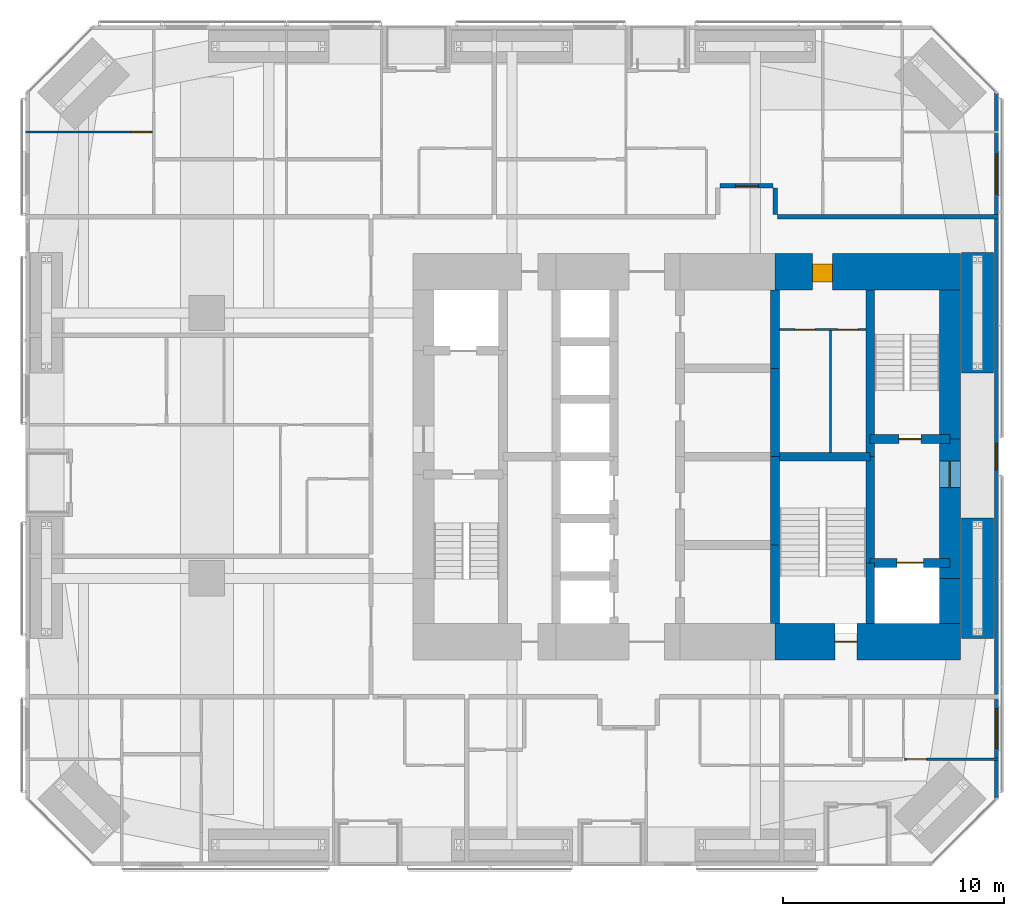
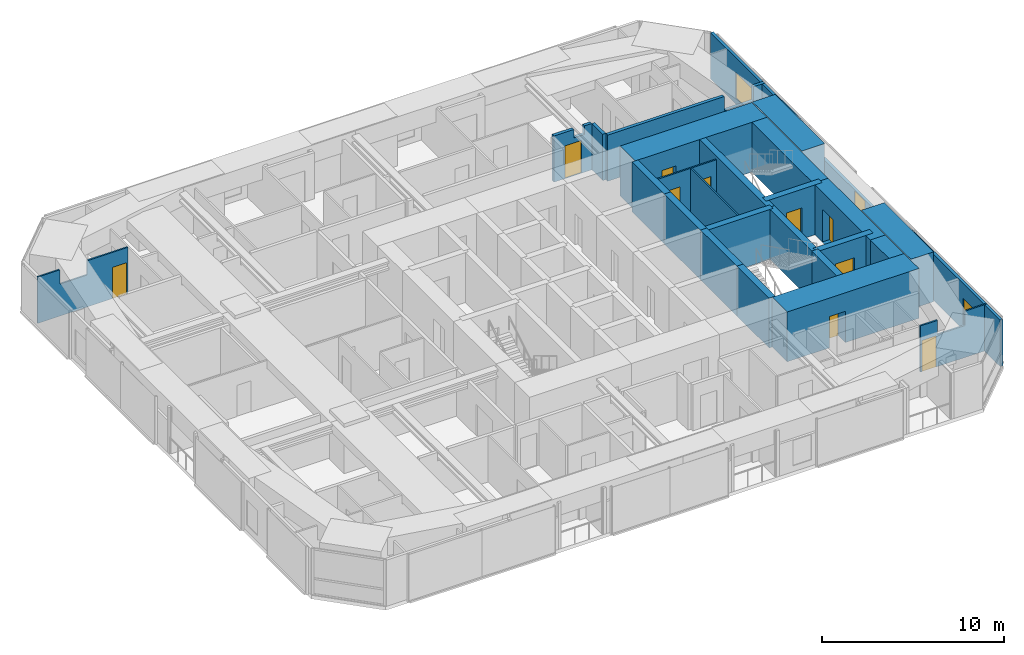
# One storey, part 20 of 23: 25 walls, 10 doors, 3 windows, 13 openings.
"""IFC4 building model written with IfcOpenShell, lengths in metres."""

from ifc_helpers import new_model, si_unit, direction, frame, frame_2d, origin, place, context, subcontext, project, spatial, polyline, rectangle, outline, extrude, material, layer, layer_set, constituent, constituent_set, type_object, element, fill, save


model = new_model("IFC4")

# Units and contexts
model_context = context("Model", 3, precision=1e-05, world=origin(), true_north=direction((0.0, 1.0)))
body_context = subcontext(model_context, "Body", "Model", "MODEL_VIEW")
ifc_project = project(units=[si_unit("LENGTHUNIT", "METRE"), si_unit("AREAUNIT", "SQUARE_METRE"), si_unit("VOLUMEUNIT", "CUBIC_METRE"), si_unit("PLANEANGLEUNIT", "RADIAN"), si_unit("MASSUNIT", "GRAM", prefix="KILO")], contexts=[model_context])

# Site, building, storey
site_placement = place(None, origin())
site = spatial("IfcSite", under=ifc_project, at=site_placement, CompositionType="ELEMENT")
building_placement = place(site_placement, origin())
building = spatial("IfcBuilding", under=site, at=building_placement, Name="Jalousie Tower", CompositionType="ELEMENT")
storey_placement = place(building_placement, frame((0.0, 0.0, 37.75)))
storey = spatial("IfcBuildingStorey", under=building, at=storey_placement, Name="L09", CompositionType="ELEMENT", Elevation=37.75)

# Wall, opening, door
ifc_material_1 = material(Name="Concrete f'c 120 MPa", Category="concrete")
ifc_layer_1 = layer(ifc_material_1, 1.64990234375)
ifc_layer_set_1 = layer_set([ifc_layer_1], Name="Concrete f'c 120 MPa")
wall_type_1 = type_object("IfcWallType", Name="CORE WALL 1650", PredefinedType="SHEAR", material=ifc_layer_set_1)
wall_1_placement = place(storey_placement, frame((35.89990234375, 10.125, 0.0), z_axis=(0.0, 0.0, 1.0), x_axis=(1.0, 0.0, 0.0)))
wall_1 = element("IfcWall", 1, at=wall_1_placement, inside=storey, type_object=wall_type_1, Name="Core wall SD L09", PredefinedType="SHEAR", context=body_context, shape_type="SweptSolid", body=[
    extrude(rectangle(XDim=8.375, YDim=1.64990234375, at=frame_2d((4.1875, 0.0))), origin(), (0.0, 0.0, 1.0), 3.35009765625),
])
opening_1_placement = place(wall_1_placement, frame((2.699951171875, 0.0, 0.0)))
opening_1 = element("IfcOpeningElement", 2, at=opening_1_placement, cuts=wall_1, Name="Opening D10", PredefinedType="OPENING", context=body_context, shape_type="SweptSolid", body=[
    extrude(rectangle(XDim=1.0, YDim=2.10009765625, at=frame_2d((0.5, 1.050048828125))), frame((0.0, 0.8349609375, 0.0), z_axis=(0.0, -1.0, 0.0), x_axis=(1.0, 0.0, 0.0)), (0.0, 0.0, 1.0), 1.669921875),
])
ifc_material_2 = material(Name="Steel fire door", Category="steel")
door_type_1 = type_object("IfcDoorType", Name="STAIR DOOR 1000", OperationType="SINGLE_SWING_LEFT", PredefinedType="DOOR", material=ifc_material_2)
door_1_placement = place(opening_1_placement, origin())
door_1 = element("IfcDoor", 3, at=door_1_placement, inside=storey, type_object=door_type_1, Name="Exit stair C door", OperationType="SINGLE_SWING_RIGHT", OverallHeight=2.10009765625, OverallWidth=1.0, PredefinedType="DOOR", context=body_context, shape_type="SweptSolid", body=[
    extrude(rectangle(XDim=1.0, YDim=2.10009765625, at=frame_2d((0.5, 1.050048828125))), frame((0.0, 0.02490234375, 0.0), z_axis=(0.0, -1.0, 0.0), x_axis=(1.0, 0.0, 0.0)), (0.0, 0.0, 1.0), 0.050048828125),
])
fill(opening_1, door_1)

wall_2_placement = place(storey_placement, frame((44.27490234375, 26.875, 0.0), z_axis=(0.0, 0.0, 1.0), x_axis=(-1.0, 0.0, 0.0)))
wall_2 = element("IfcWall", 4, at=wall_2_placement, inside=storey, type_object=wall_type_1, Name="Core wall NA L09", PredefinedType="SHEAR", context=body_context, shape_type="SweptSolid", body=[
    extrude(rectangle(XDim=8.375, YDim=1.64990234375, at=frame_2d((4.1875, 0.0))), origin(), (0.0, 0.0, 1.0), 3.35009765625),
])
opening_2_placement = place(wall_2_placement, frame((5.77490234375, 0.0, 0.0)))
opening_2 = element("IfcOpeningElement", 5, at=opening_2_placement, cuts=wall_2, Name="Opening D25", PredefinedType="OPENING", context=body_context, shape_type="SweptSolid", body=[
    extrude(rectangle(XDim=0.89990234375, YDim=2.10009765625, at=frame_2d((0.449951171875, 1.050048828125))), frame((0.0, 0.8349609375, 0.0), z_axis=(0.0, -1.0, 0.0), x_axis=(1.0, 0.0, 0.0)), (0.0, 0.0, 1.0), 1.669921875),
])
ifc_material_3 = material(Name="Steel fire door", Category="steel")
door_type_2 = type_object("IfcDoorType", Name="SERVICE LOBBY DOOR 900", OperationType="SINGLE_SWING_LEFT", PredefinedType="DOOR", material=ifc_material_3)
door_2_placement = place(opening_2_placement, origin())
door_2 = element("IfcDoor", 6, at=door_2_placement, inside=storey, type_object=door_type_2, Name="Service lobby door", OperationType="SINGLE_SWING_RIGHT", OverallHeight=2.10009765625, OverallWidth=0.89990234375, PredefinedType="DOOR", context=body_context, shape_type="SweptSolid", body=[
    extrude(rectangle(XDim=0.89990234375, YDim=2.10009765625, at=frame_2d((0.449951171875, 1.050048828125))), frame((0.0, 0.47021484375, 0.0), z_axis=(0.0, -1.0, 0.0), x_axis=(1.0, 0.0, 0.0)), (0.0, 0.0, 1.0), 0.800048828125),
])
fill(opening_2, door_2)

# Walls
ifc_material_4 = material(Name="Concrete f'c 120 MPa", Category="concrete")
ifc_layer_2 = layer(ifc_material_4, 0.39990234375)
ifc_layer_set_2 = layer_set([ifc_layer_2], Name="Concrete f'c 120 MPa")
wall_type_2 = type_object("IfcWallType", Name="CORE WALL 400", PredefinedType="SHEAR", material=ifc_layer_set_2)
wall_3_placement = place(storey_placement, frame((35.89990234375, 10.949951171875, 0.0), z_axis=(0.0, 0.0, 1.0), x_axis=(0.0, 1.0, 0.0)))
element("IfcWall", 7, at=wall_3_placement, inside=storey, type_object=wall_type_2, Name="Core wall X35.9A L09", PredefinedType="SHEAR", context=body_context, shape_type="SweptSolid", body=[
    extrude(rectangle(XDim=3.550048828125, YDim=0.39990234375, at=frame_2d((1.77490234375, 0.0))), origin(), (0.0, 0.0, 1.0), 3.35009765625),
])
for number, where, z_axis, x_axis, name in (
    (8, (35.89990234375, 14.5, 0.0), (0.0, 0.0, 1.0), (0.0, 1.0, 0.0), "Core wall X35.9B L09"),
    (9, (35.89990234375, 18.5, 0.0), (0.0, 0.0, 1.0), (0.0, 1.0, 0.0), "Core wall X35.9C L09"),
):
    element("IfcWall", number, at=place(storey_placement, frame(where, z_axis=z_axis, x_axis=x_axis)), inside=storey, type_object=wall_type_2, Name=name, PredefinedType="SHEAR", context=body_context, shape_type="SweptSolid", body=[
        extrude(rectangle(XDim=4.0, YDim=0.39990234375, at=frame_2d((2.0, 0.0))), origin(), (0.0, 0.0, 1.0), 3.35009765625),
    ])
wall_4_placement = place(storey_placement, frame((35.89990234375, 22.5, 0.0), z_axis=(0.0, 0.0, 1.0), x_axis=(0.0, 1.0, 0.0)))
element("IfcWall", 10, at=wall_4_placement, inside=storey, type_object=wall_type_2, Name="Core wall X35.9D L09", PredefinedType="SHEAR", context=body_context, shape_type="SweptSolid", body=[
    extrude(rectangle(XDim=3.550048828125, YDim=0.39990234375, at=frame_2d((1.77490234375, 0.0))), origin(), (0.0, 0.0, 1.0), 3.35009765625),
])
wall_5_placement = place(storey_placement, frame((40.199951171875, 10.949951171875, 0.0), z_axis=(0.0, 0.0, 1.0), x_axis=(0.0, 1.0, 0.0)))
element("IfcWall", 11, at=wall_5_placement, inside=storey, type_object=wall_type_2, Name="Core wall X40.2A L09", PredefinedType="SHEAR", context=body_context, shape_type="SweptSolid", body=[
    extrude(rectangle(XDim=2.75, YDim=0.39990234375, at=frame_2d((1.375, 0.0))), origin(), (0.0, 0.0, 1.0), 3.35009765625),
])
wall_6_placement = place(storey_placement, frame((40.199951171875, 13.699951171875, 0.0), z_axis=(0.0, 0.0, 1.0), x_axis=(0.0, 1.0, 0.0)))
element("IfcWall", 12, at=wall_6_placement, inside=storey, type_object=wall_type_2, Name="Core wall X40.2B L09", PredefinedType="SHEAR", context=body_context, shape_type="SweptSolid", body=[
    extrude(rectangle(XDim=4.800048828125, YDim=0.39990234375, at=frame_2d((2.39990234375, 0.0))), origin(), (0.0, 0.0, 1.0), 3.35009765625),
])
wall_7_placement = place(storey_placement, frame((40.199951171875, 18.5, 0.0), z_axis=(0.0, 0.0, 1.0), x_axis=(0.0, 1.0, 0.0)))
element("IfcWall", 13, at=wall_7_placement, inside=storey, type_object=wall_type_2, Name="Core wall X40.2C L09", PredefinedType="SHEAR", context=body_context, shape_type="SweptSolid", body=[
    extrude(rectangle(XDim=7.550048828125, YDim=0.39990234375, at=frame_2d((3.77490234375, 0.0))), origin(), (0.0, 0.0, 1.0), 3.35009765625),
])
wall_8_placement = place(storey_placement, frame((35.89990234375, 18.5, 0.0), z_axis=(0.0, 0.0, 1.0), x_axis=(1.0, 0.0, 0.0)))
element("IfcWall", 14, at=wall_8_placement, inside=storey, type_object=wall_type_2, Name="Core wall Y35.9-18.5 L09", PredefinedType="SHEAR", context=body_context, shape_type="SweptSolid", body=[
    extrude(rectangle(XDim=4.300048828125, YDim=0.39990234375, at=frame_2d((2.14990234375, 0.0))), origin(), (0.0, 0.0, 1.0), 3.35009765625),
])

# Wall, opening, door
wall_9_placement = place(storey_placement, frame((40.199951171875, 13.699951171875, 0.0), z_axis=(0.0, 0.0, 1.0), x_axis=(1.0, 0.0, 0.0)))
wall_9 = element("IfcWall", 15, at=wall_9_placement, inside=storey, type_object=wall_type_2, Name="Core wall Y40.2-13.7 L09", PredefinedType="SHEAR", context=body_context, shape_type="SweptSolid", body=[
    extrude(rectangle(XDim=3.60009765625, YDim=0.39990234375, at=frame_2d((1.800048828125, 0.0))), origin(), (0.0, 0.0, 1.0), 3.35009765625),
])
opening_3_placement = place(wall_9_placement, frame((1.199951171875, 0.0, 0.0)))
opening_3 = element("IfcOpeningElement", 16, at=opening_3_placement, cuts=wall_9, Name="Opening LD2", PredefinedType="OPENING", context=body_context, shape_type="SweptSolid", body=[
    extrude(rectangle(XDim=1.199951171875, YDim=2.10009765625, at=frame_2d((0.60009765625, 1.050048828125))), frame((0.0, 0.2099609375, 0.0), z_axis=(0.0, -1.0, 0.0), x_axis=(1.0, 0.0, 0.0)), (0.0, 0.0, 1.0), 0.419921875),
])
ifc_material_5 = material(Name="Steel lift landing door", Category="steel")
door_type_3 = type_object("IfcDoorType", Name="LIFT LANDING DOOR 1200", OperationType="SLIDING_TO_LEFT", PredefinedType="DOOR", material=ifc_material_5)
door_3_placement = place(opening_3_placement, origin())
door_3 = element("IfcDoor", 17, at=door_3_placement, inside=storey, type_object=door_type_3, Name="Lift F2 landing door", OperationType="SLIDING_TO_LEFT", OverallHeight=2.10009765625, OverallWidth=1.199951171875, PredefinedType="DOOR", context=body_context, shape_type="SweptSolid", body=[
    extrude(rectangle(XDim=1.199951171875, YDim=2.10009765625, at=frame_2d((0.60009765625, 1.050048828125))), frame((0.0, 0.02490234375, 0.0), z_axis=(0.0, -1.0, 0.0), x_axis=(1.0, 0.0, 0.0)), (0.0, 0.0, 1.0), 0.050048828125),
])
fill(opening_3, door_3)

wall_10_placement = place(storey_placement, frame((40.199951171875, 19.300048828125, 0.0), z_axis=(0.0, 0.0, 1.0), x_axis=(1.0, 0.0, 0.0)))
wall_10 = element("IfcWall", 18, at=wall_10_placement, inside=storey, type_object=wall_type_2, Name="Core wall Y40.2-19.3 L09", PredefinedType="SHEAR", context=body_context, shape_type="SweptSolid", body=[
    extrude(rectangle(XDim=3.60009765625, YDim=0.39990234375, at=frame_2d((1.800048828125, 0.0))), origin(), (0.0, 0.0, 1.0), 3.35009765625),
])
opening_4_placement = place(wall_10_placement, frame((1.300048828125, 0.0, 0.0)))
opening_4 = element("IfcOpeningElement", 19, at=opening_4_placement, cuts=wall_10, Name="Opening D10", PredefinedType="OPENING", context=body_context, shape_type="SweptSolid", body=[
    extrude(rectangle(XDim=1.0, YDim=2.10009765625, at=frame_2d((0.5, 1.050048828125))), frame((0.0, 0.2099609375, 0.0), z_axis=(0.0, -1.0, 0.0), x_axis=(1.0, 0.0, 0.0)), (0.0, 0.0, 1.0), 0.419921875),
])
door_4_placement = place(opening_4_placement, origin())
door_4 = element("IfcDoor", 20, at=door_4_placement, inside=storey, type_object=door_type_1, Name="Exit stair B door", OperationType="SINGLE_SWING_RIGHT", OverallHeight=2.10009765625, OverallWidth=1.0, PredefinedType="DOOR", context=body_context, shape_type="SweptSolid", body=[
    extrude(rectangle(XDim=1.0, YDim=2.10009765625, at=frame_2d((0.5, 1.050048828125))), frame((0.0, 0.02490234375, 0.0), z_axis=(0.0, -1.0, 0.0), x_axis=(1.0, 0.0, 0.0)), (0.0, 0.0, 1.0), 0.050048828125),
])
fill(opening_4, door_4)

# Wall
ifc_material_6 = material(Name="Concrete f'c 120 MPa", Category="concrete")
ifc_layer_3 = layer(ifc_material_6, 0.949951171875)
ifc_layer_set_3 = layer_set([ifc_layer_3], Name="Concrete f'c 120 MPa")
wall_type_3 = type_object("IfcWallType", Name="CORE WALL 950", PredefinedType="SHEAR", material=ifc_layer_set_3)
wall_11_placement = place(storey_placement, frame((43.800048828125, 10.949951171875, 0.0), z_axis=(0.0, 0.0, 1.0), x_axis=(0.0, 1.0, 0.0)))
element("IfcWall", 21, at=wall_11_placement, inside=storey, type_object=wall_type_3, Name="Core wall EA L09", PredefinedType="SHEAR", context=body_context, shape_type="SweptSolid", body=[
    extrude(rectangle(XDim=2.050048828125, YDim=0.949951171875, at=frame_2d((1.02490234375, 0.0))), origin(), (0.0, 0.0, 1.0), 3.35009765625),
])

# Wall, opening, door
wall_12_placement = place(storey_placement, frame((43.800048828125, 13.0, 0.0), z_axis=(0.0, 0.0, 1.0), x_axis=(0.0, 1.0, 0.0)))
wall_12 = element("IfcWall", 22, at=wall_12_placement, inside=storey, type_object=wall_type_3, Name="Core wall EB L09", PredefinedType="SHEAR", context=body_context, shape_type="SweptSolid", body=[
    extrude(rectangle(XDim=6.300048828125, YDim=0.949951171875, at=frame_2d((3.14990234375, 0.0))), origin(), (0.0, 0.0, 1.0), 3.35009765625),
])
opening_5_placement = place(wall_12_placement, frame((4.10009765625, 0.0, 0.0)))
opening_5 = element("IfcOpeningElement", 23, at=opening_5_placement, cuts=wall_12, Name="Opening D11", PredefinedType="OPENING", context=body_context, shape_type="SweptSolid", body=[
    extrude(rectangle(XDim=1.199951171875, YDim=2.199951171875, at=frame_2d((0.60009765625, 1.10009765625))), frame((0.0, 0.48486328125, 0.0), z_axis=(0.0, -1.0, 0.0), x_axis=(1.0, 0.0, 0.0)), (0.0, 0.0, 1.0), 0.969970703125),
])
ifc_material_7 = material(Name="Steel fire door", Category="steel")
door_type_4 = type_object("IfcDoorType", Name="FIRE DOOR 1200", OperationType="SINGLE_SWING_LEFT", PredefinedType="DOOR", material=ifc_material_7)
door_5_placement = place(opening_5_placement, origin())
door_5 = element("IfcDoor", 24, at=door_5_placement, inside=storey, type_object=door_type_4, Name="Fire-fighting lobby B door", OperationType="SINGLE_SWING_RIGHT", OverallHeight=2.199951171875, OverallWidth=1.199951171875, PredefinedType="DOOR", context=body_context, shape_type="SweptSolid", body=[
    extrude(rectangle(XDim=1.199951171875, YDim=2.199951171875, at=frame_2d((0.60009765625, 1.10009765625))), frame((0.0, 0.02490234375, 0.0), z_axis=(0.0, -1.0, 0.0), x_axis=(1.0, 0.0, 0.0)), (0.0, 0.0, 1.0), 0.050048828125),
])
fill(opening_5, door_5)

# Walls
wall_13_placement = place(storey_placement, frame((43.800048828125, 19.300048828125, 0.0), z_axis=(0.0, 0.0, 1.0), x_axis=(0.0, 1.0, 0.0)))
element("IfcWall", 25, at=wall_13_placement, inside=storey, type_object=wall_type_3, Name="Core wall EC L09", PredefinedType="SHEAR", context=body_context, shape_type="SweptSolid", body=[
    extrude(rectangle(XDim=6.75, YDim=0.949951171875, at=frame_2d((3.375, 0.0))), origin(), (0.0, 0.0, 1.0), 3.35009765625),
])
ifc_material_8 = material(Name="Concrete block ASTM C90", Category="concrete")
ifc_constituent_1 = constituent(ifc_material_8, Name="Body")
ifc_material_9 = material(Name="Render")
ifc_constituent_2 = constituent(ifc_material_9, Name="Finish")
ifc_constituent_set_1 = constituent_set(constituents=[ifc_constituent_1, ifc_constituent_2])
wall_type_4 = type_object("IfcWallType", Name="CORRIDOR WALL 200", PredefinedType="PARTITIONING", material=ifc_constituent_set_1)
wall_14_placement = place(storey_placement, frame((36.0, 29.35009765625, 0.0), z_axis=(0.0, 0.0, 1.0), x_axis=(1.0, 0.0, 0.0)))
element("IfcWall", 26, at=wall_14_placement, inside=storey, type_object=wall_type_4, Name="Corridor Wall 200 L09", PredefinedType="PARTITIONING", context=body_context, shape_type="SweptSolid", body=[
    extrude(outline(polyline([(0.0, 0.0), (10.0, 0.0), (10.0, 3.110107421875), (9.2666015625, 3.110107421875), (9.2666015625, 2.14990234375), (7.422607421875, 2.14990234375), (7.422607421875, 3.110107421875), (0.0, 3.110107421875), (0.0, 0.0)])), frame((0.0, 0.10009765625, 0.0), z_axis=(0.0, -1.0, 0.0), x_axis=(1.0, 0.0, 0.0)), (0.0, 0.0, 1.0), 0.199951171875),
])

# Wall, opening, door
wall_15_placement = place(storey_placement, frame((33.39990234375, 30.75, 0.0), z_axis=(0.0, 0.0, 1.0), x_axis=(1.0, 0.0, 0.0)))
wall_15 = element("IfcWall", 27, at=wall_15_placement, inside=storey, type_object=wall_type_4, Name="Corridor Wall 200 L09", PredefinedType="PARTITIONING", context=body_context, shape_type="SweptSolid", body=[
    extrude(outline(polyline([(0.0, 0.0), (2.400146484375, 0.0), (2.39990234375, 3.110107421875), (1.9375, 3.110107421875), (1.9375, 2.541015625), (1.2626953125, 2.541015625), (1.2626953125, 3.110107421875), (0.0, 3.110107421875), (0.0, 0.0)])), frame((0.0, 0.10009765625, 0.0), z_axis=(0.0, -1.0, 0.0), x_axis=(1.0, 0.0, 0.0)), (0.0, 0.0, 1.0), 0.199951171875),
])
opening_6_placement = place(wall_15_placement, frame((0.699951171875, 0.0, 0.0)))
opening_6 = element("IfcOpeningElement", 28, at=opening_6_placement, cuts=wall_15, Name="Opening D1", PredefinedType="OPENING", context=body_context, shape_type="SweptSolid", body=[
    extrude(rectangle(XDim=1.050048828125, YDim=2.199951171875, at=frame_2d((0.52490234375, 1.10009765625))), frame((0.0, 0.10986328125, 0.0), z_axis=(0.0, -1.0, 0.0), x_axis=(1.0, 0.0, 0.0)), (0.0, 0.0, 1.0), 0.219970703125),
])
ifc_material_10 = material(Name="Timber fire door", Category="wood")
door_type_5 = type_object("IfcDoorType", Name="APARTMENT ENTRANCE DOOR 1050", OperationType="SINGLE_SWING_LEFT", PredefinedType="DOOR", material=ifc_material_10)
door_6_placement = place(opening_6_placement, origin())
door_6 = element("IfcDoor", 29, at=door_6_placement, inside=storey, type_object=door_type_5, Name="Apartment 0905 entrance", OperationType="SINGLE_SWING_LEFT", OverallHeight=2.199951171875, OverallWidth=1.050048828125, PredefinedType="DOOR", context=body_context, shape_type="SweptSolid", body=[
    extrude(rectangle(XDim=1.050048828125, YDim=2.199951171875, at=frame_2d((0.52490234375, 1.10009765625))), frame((0.0, 0.02490234375, 0.0), z_axis=(0.0, -1.0, 0.0), x_axis=(1.0, 0.0, 0.0)), (0.0, 0.0, 1.0), 0.050048828125),
])
fill(opening_6, door_6)

# Wall
wall_16_placement = place(storey_placement, frame((35.89990234375, 29.449951171875, 0.0), z_axis=(0.0, 0.0, 1.0), x_axis=(0.0, 1.0, 0.0)))
element("IfcWall", 30, at=wall_16_placement, inside=storey, type_object=wall_type_4, Name="Corridor Wall 200 L09", PredefinedType="PARTITIONING", context=body_context, shape_type="SweptSolid", body=[
    extrude(rectangle(XDim=1.199951171875, YDim=0.199951171875, at=frame_2d((0.60009765625, 0.0))), origin(), (0.0, 0.0, 1.0), 3.110107421875),
])

# Wall, openings, windows
ifc_material_11 = material(Name="Concrete f'c 40 MPa", Category="concrete")
ifc_constituent_3 = constituent(ifc_material_11, Name="Body")
ifc_material_12 = material(Name="Render, pastel coral")
ifc_constituent_4 = constituent(ifc_material_12, Name="Finish")
ifc_constituent_set_2 = constituent_set(constituents=[ifc_constituent_3, ifc_constituent_4])
wall_type_5 = type_object("IfcWallType", Name="EXTERNAL WALL 175 CORAL RENDER", PredefinedType="SOLIDWALL", material=ifc_constituent_set_2)
wall_17_placement = place(storey_placement, frame((45.91259765625, 3.05126953125, 0.0), z_axis=(0.0, 0.0, 1.0), x_axis=(0.0, 1.0, 0.0)))
wall_17 = element("IfcWall", 31, at=wall_17_placement, inside=storey, type_object=wall_type_5, Name="External Wall 175 Coral Render L09", PredefinedType="SOLIDWALL", context=body_context, shape_type="SweptSolid", body=[
    extrude(outline(polyline([(0.0, 0.0), (31.8974609375, 0.0), (31.8974609375, 3.110107421875), (22.167236328125, 3.110107421875), (22.167236328125, 2.14990234375), (22.074462890625, 2.14990234375), (22.074462890625, 3.110107421875), (21.94873046875, 3.110107421875), (21.94873046875, 2.14990234375), (9.94873046875, 2.14990234375), (9.94873046875, 3.110107421875), (9.822998046875, 3.110107421875), (9.822998046875, 2.14990234375), (9.72998046875, 2.14990234375), (9.72998046875, 3.110107421875), (0.0, 3.110107421875), (0.0, 0.0)])), frame((0.0, 0.08740234375, 0.0), z_axis=(0.0, -1.0, 0.0), x_axis=(1.0, 0.0, 0.0)), (0.0, 0.0, 1.0), 0.175048828125),
])
opening_7_placement = place(wall_17_placement, frame((2.25732421875, 0.0, 0.39990234375)))
opening_7 = element("IfcOpeningElement", 32, at=opening_7_placement, cuts=wall_17, Name="Opening W-BED170", PredefinedType="OPENING", context=body_context, shape_type="SweptSolid", body=[
    extrude(rectangle(XDim=1.800048828125, YDim=1.699951171875, at=frame_2d((0.89990234375, 0.85009765625))), frame((0.0, 0.097412109375, 0.0), z_axis=(0.0, -1.0, 0.0), x_axis=(1.0, 0.0, 0.0)), (0.0, 0.0, 1.0), 0.195068359375),
])
opening_8_placement = place(wall_17_placement, frame((14.8486328125, 0.0, 0.39990234375)))
opening_8 = element("IfcOpeningElement", 33, at=opening_8_placement, cuts=wall_17, Name="Opening W-COR170", PredefinedType="OPENING", context=body_context, shape_type="SweptSolid", body=[
    extrude(rectangle(XDim=1.199951171875, YDim=1.699951171875, at=frame_2d((0.60009765625, 0.85009765625))), frame((0.0, 0.097412109375, 0.0), z_axis=(0.0, -1.0, 0.0), x_axis=(1.0, 0.0, 0.0)), (0.0, 0.0, 1.0), 0.195068359375),
])
opening_9_placement = place(wall_17_placement, frame((27.340087890625, 0.0, 0.39990234375)))
opening_9 = element("IfcOpeningElement", 34, at=opening_9_placement, cuts=wall_17, Name="Opening W-BED170", PredefinedType="OPENING", context=body_context, shape_type="SweptSolid", body=[
    extrude(rectangle(XDim=1.800048828125, YDim=1.699951171875, at=frame_2d((0.89990234375, 0.85009765625))), frame((0.0, 0.097412109375, 0.0), z_axis=(0.0, -1.0, 0.0), x_axis=(1.0, 0.0, 0.0)), (0.0, 0.0, 1.0), 0.195068359375),
])
ifc_material_13 = material(Name="Aluminium frame, impact-rated glazing", Category="aluminium")
window_type_1 = type_object("IfcWindowType", Name="WINDOW BED 1800x1700", PartitioningType="SINGLE_PANEL", PredefinedType="WINDOW", material=ifc_material_13)
window_1_placement = place(opening_7_placement, origin())
window_1 = element("IfcWindow", 35, at=window_1_placement, inside=storey, type_object=window_type_1, Name="Apartment 0903 bedroom 1 window", OverallHeight=1.699951171875, OverallWidth=1.800048828125, PartitioningType="SINGLE_PANEL", PredefinedType="WINDOW", context=body_context, shape_type="SweptSolid", body=[
    extrude(rectangle(XDim=1.800048828125, YDim=1.699951171875, at=frame_2d((0.89990234375, 0.85009765625))), frame((0.0, 0.030029296875, 0.0), z_axis=(0.0, -1.0, 0.0), x_axis=(1.0, 0.0, 0.0)), (0.0, 0.0, 1.0), 0.06005859375),
])
fill(opening_7, window_1)
window_2_placement = place(opening_9_placement, origin())
window_2 = element("IfcWindow", 36, at=window_2_placement, inside=storey, type_object=window_type_1, Name="Apartment 0905 bedroom 3 window", OverallHeight=1.699951171875, OverallWidth=1.800048828125, PartitioningType="SINGLE_PANEL", PredefinedType="WINDOW", context=body_context, shape_type="SweptSolid", body=[
    extrude(rectangle(XDim=1.800048828125, YDim=1.699951171875, at=frame_2d((0.89990234375, 0.85009765625))), frame((0.0, 0.030029296875, 0.0), z_axis=(0.0, -1.0, 0.0), x_axis=(1.0, 0.0, 0.0)), (0.0, 0.0, 1.0), 0.06005859375),
])
fill(opening_9, window_2)
ifc_material_14 = material(Name="Aluminium frame, impact-rated glazing", Category="aluminium")
window_type_2 = type_object("IfcWindowType", Name="WINDOW COR 1200x1700", PartitioningType="SINGLE_PANEL", PredefinedType="WINDOW", material=ifc_material_14)
window_3_placement = place(opening_8_placement, origin())
window_3 = element("IfcWindow", 37, at=window_3_placement, inside=storey, type_object=window_type_2, Name="Corridor window", OverallHeight=1.699951171875, OverallWidth=1.199951171875, PartitioningType="SINGLE_PANEL", PredefinedType="WINDOW", context=body_context, shape_type="SweptSolid", body=[
    extrude(rectangle(XDim=1.199951171875, YDim=1.699951171875, at=frame_2d((0.60009765625, 0.85009765625))), frame((0.0, 0.030029296875, 0.0), z_axis=(0.0, -1.0, 0.0), x_axis=(1.0, 0.0, 0.0)), (0.0, 0.0, 1.0), 0.06005859375),
])
fill(opening_8, window_3)

# Wall, opening, door
ifc_material_15 = material(Name="Gypsum board", Category="gypsum")
ifc_constituent_5 = constituent(ifc_material_15, Name="Body")
ifc_material_16 = material(Name="Light-gauge steel studs ASTM A653 SS Grade 33", Category="steel")
ifc_constituent_6 = constituent(ifc_material_16, Name="Framing")
ifc_constituent_set_3 = constituent_set(constituents=[ifc_constituent_5, ifc_constituent_6])
wall_type_6 = type_object("IfcWallType", Name="PARTITION 100", PredefinedType="PARTITIONING", material=ifc_constituent_set_3)
wall_18_placement = place(storey_placement, frame((41.75, 4.8173828125, 0.0), z_axis=(0.0, 0.0, 1.0), x_axis=(1.0, 0.0, 0.0)))
wall_18 = element("IfcWall", 38, at=wall_18_placement, inside=storey, type_object=wall_type_6, Name="Partition 100 L09", PredefinedType="PARTITIONING", context=body_context, shape_type="SweptSolid", body=[
    extrude(outline(polyline([(0.0, 0.0), (4.25, 0.0), (4.25, 3.110107421875), (2.84423828125, 3.110107421875), (2.84423828125, 2.14990234375), (1.101806640625, 2.14990234375), (1.101806640625, 3.110107421875), (0.0, 3.110107421875), (0.0, 0.0)])), frame((0.0, 0.050048828125, 0.0), z_axis=(0.0, -1.0, 0.0), x_axis=(1.0, 0.0, 0.0)), (0.0, 0.0, 1.0), 0.10009765625),
])
opening_10_placement = place(wall_18_placement, frame((0.10009765625, 0.0, 0.0)))
opening_10 = element("IfcOpeningElement", 39, at=opening_10_placement, cuts=wall_18, Name="Opening D2", PredefinedType="OPENING", context=body_context, shape_type="SweptSolid", body=[
    extrude(rectangle(XDim=0.89990234375, YDim=2.10009765625, at=frame_2d((0.449951171875, 1.050048828125))), frame((0.0, 0.06005859375, 0.0), z_axis=(0.0, -1.0, 0.0), x_axis=(1.0, 0.0, 0.0)), (0.0, 0.0, 1.0), 0.1201171875),
])
ifc_material_17 = material(Name="Timber door", Category="wood")
door_type_6 = type_object("IfcDoorType", Name="BEDROOM DOOR 900", OperationType="SINGLE_SWING_LEFT", PredefinedType="DOOR", material=ifc_material_17)
door_7_placement = place(opening_10_placement, origin())
door_7 = element("IfcDoor", 40, at=door_7_placement, inside=storey, type_object=door_type_6, Name="Apartment 0903 bedroom 1 door", OperationType="SINGLE_SWING_LEFT", OverallHeight=2.10009765625, OverallWidth=0.89990234375, PredefinedType="DOOR", context=body_context, shape_type="SweptSolid", body=[
    extrude(rectangle(XDim=0.89990234375, YDim=2.10009765625, at=frame_2d((0.449951171875, 1.050048828125))), frame((0.0, 0.02490234375, 0.0), z_axis=(0.0, -1.0, 0.0), x_axis=(1.0, 0.0, 0.0)), (0.0, 0.0, 1.0), 0.050048828125),
])
fill(opening_10, door_7)

wall_19_placement = place(storey_placement, frame((2.0, 33.1826171875, 0.0), z_axis=(0.0, 0.0, 1.0), x_axis=(1.0, 0.0, 0.0)))
wall_19 = element("IfcWall", 41, at=wall_19_placement, inside=storey, type_object=wall_type_6, Name="Partition 100 L09", PredefinedType="PARTITIONING", context=body_context, shape_type="SweptSolid", body=[
    extrude(outline(polyline([(0.0, 0.0), (5.75, 0.0), (5.75, 3.110107421875), (3.148193359375, 3.110107421875), (3.148193359375, 2.14990234375), (1.40576171875, 2.14990234375), (1.40576171875, 3.110107421875), (0.0, 3.110107421875), (0.0, 0.0)])), frame((0.0, 0.050048828125, 0.0), z_axis=(0.0, -1.0, 0.0), x_axis=(1.0, 0.0, 0.0)), (0.0, 0.0, 1.0), 0.10009765625),
])
opening_11_placement = place(wall_19_placement, frame((4.75, 0.0, 0.0)))
opening_11 = element("IfcOpeningElement", 42, at=opening_11_placement, cuts=wall_19, Name="Opening D7", PredefinedType="OPENING", context=body_context, shape_type="SweptSolid", body=[
    extrude(rectangle(XDim=0.89990234375, YDim=2.10009765625, at=frame_2d((0.449951171875, 1.050048828125))), frame((0.0, 0.06005859375, 0.0), z_axis=(0.0, -1.0, 0.0), x_axis=(1.0, 0.0, 0.0)), (0.0, 0.0, 1.0), 0.1201171875),
])
ifc_material_18 = material(Name="Timber door", Category="wood")
door_type_7 = type_object("IfcDoorType", Name="INTERNAL DOOR 900", OperationType="SINGLE_SWING_LEFT", PredefinedType="DOOR", material=ifc_material_18)
door_8_placement = place(opening_11_placement, frame((0.89990234375, 0.0, 0.0), z_axis=(0.0, 0.0, 1.0), x_axis=(-1.0, 0.0, 0.0)))
door_8 = element("IfcDoor", 43, at=door_8_placement, inside=storey, type_object=door_type_7, Name="Apartment 0904 bedroom 1 dressing hall door", OperationType="SINGLE_SWING_LEFT", OverallHeight=2.10009765625, OverallWidth=0.89990234375, PredefinedType="DOOR", context=body_context, shape_type="SweptSolid", body=[
    extrude(rectangle(XDim=0.89990234375, YDim=2.10009765625, at=frame_2d((0.449951171875, 1.050048828125))), frame((0.0, 0.02490234375, 0.0), z_axis=(0.0, -1.0, 0.0), x_axis=(1.0, 0.0, 0.0)), (0.0, 0.0, 1.0), 0.050048828125),
])
fill(opening_11, door_8)

# Wall, openings, doors
wall_20_placement = place(storey_placement, frame((36.10009765625, 24.25, 0.0), z_axis=(0.0, 0.0, 1.0), x_axis=(1.0, 0.0, 0.0)))
wall_20 = element("IfcWall", 44, at=wall_20_placement, inside=storey, type_object=wall_type_6, Name="Partition 100 L09", PredefinedType="PARTITIONING", context=body_context, shape_type="SweptSolid", body=[
    extrude(rectangle(XDim=3.89990234375, YDim=0.10009765625, at=frame_2d((1.949951171875, 0.0))), origin(), (0.0, 0.0, 1.0), 3.110107421875),
])
opening_12_placement = place(wall_20_placement, frame((0.699951171875, 0.0, 0.0)))
opening_12 = element("IfcOpeningElement", 45, at=opening_12_placement, cuts=wall_20, Name="Opening D7", PredefinedType="OPENING", context=body_context, shape_type="SweptSolid", body=[
    extrude(rectangle(XDim=0.89990234375, YDim=2.10009765625, at=frame_2d((0.449951171875, 1.050048828125))), frame((0.0, 0.06005859375, 0.0), z_axis=(0.0, -1.0, 0.0), x_axis=(1.0, 0.0, 0.0)), (0.0, 0.0, 1.0), 0.1201171875),
])
opening_13_placement = place(wall_20_placement, frame((2.64990234375, 0.0, 0.0)))
opening_13 = element("IfcOpeningElement", 46, at=opening_13_placement, cuts=wall_20, Name="Opening D7", PredefinedType="OPENING", context=body_context, shape_type="SweptSolid", body=[
    extrude(rectangle(XDim=0.89990234375, YDim=2.10009765625, at=frame_2d((0.449951171875, 1.050048828125))), frame((0.0, 0.06005859375, 0.0), z_axis=(0.0, -1.0, 0.0), x_axis=(1.0, 0.0, 0.0)), (0.0, 0.0, 1.0), 0.1201171875),
])
door_9_placement = place(opening_12_placement, frame((0.89990234375, 0.0, 0.0), z_axis=(0.0, 0.0, 1.0), x_axis=(-1.0, 0.0, 0.0)))
door_9 = element("IfcDoor", 47, at=door_9_placement, inside=storey, type_object=door_type_7, Name="IT room door", OperationType="SINGLE_SWING_LEFT", OverallHeight=2.10009765625, OverallWidth=0.89990234375, PredefinedType="DOOR", context=body_context, shape_type="SweptSolid", body=[
    extrude(rectangle(XDim=0.89990234375, YDim=2.10009765625, at=frame_2d((0.449951171875, 1.050048828125))), frame((0.0, 0.02490234375, 0.0), z_axis=(0.0, -1.0, 0.0), x_axis=(1.0, 0.0, 0.0)), (0.0, 0.0, 1.0), 0.050048828125),
])
fill(opening_12, door_9)
door_10_placement = place(opening_13_placement, frame((0.89990234375, 0.0, 0.0), z_axis=(0.0, 0.0, 1.0), x_axis=(-1.0, 0.0, 0.0)))
door_10 = element("IfcDoor", 48, at=door_10_placement, inside=storey, type_object=door_type_7, Name="Staff WC door", OperationType="SINGLE_SWING_RIGHT", OverallHeight=2.10009765625, OverallWidth=0.89990234375, PredefinedType="DOOR", context=body_context, shape_type="SweptSolid", body=[
    extrude(rectangle(XDim=0.89990234375, YDim=2.10009765625, at=frame_2d((0.449951171875, 1.050048828125))), frame((0.0, 0.02490234375, 0.0), z_axis=(0.0, -1.0, 0.0), x_axis=(1.0, 0.0, 0.0)), (0.0, 0.0, 1.0), 0.050048828125),
])
fill(opening_13, door_10)

# Walls
wall_21_placement = place(storey_placement, frame((38.39990234375, 18.699951171875, 0.0), z_axis=(0.0, 0.0, 1.0), x_axis=(0.0, 1.0, 0.0)))
element("IfcWall", 49, at=wall_21_placement, inside=storey, type_object=wall_type_6, Name="Partition 100 L09", PredefinedType="PARTITIONING", context=body_context, shape_type="SweptSolid", body=[
    extrude(rectangle(XDim=5.5, YDim=0.10009765625, at=frame_2d((2.75, 0.0))), origin(), (0.0, 0.0, 1.0), 3.110107421875),
])
ifc_material_19 = material(Name="Concrete f'c 120 MPa", Category="concrete")
ifc_layer_4 = layer(ifc_material_19, 1.449951171875)
ifc_layer_set_4 = layer_set([ifc_layer_4], Name="Concrete f'c 120 MPa")
wall_type_7 = type_object("IfcWallType", Name="RC WALL PIER 1450", PredefinedType="SHEAR", material=ifc_layer_set_4)
for number, where, z_axis, x_axis, name in (
    (50, (45.050048828125, 10.27490234375, 0.0), (0.0, 0.0, 1.0), (0.0, 1.0, 0.0), "Wall pier 06 L09"),
    (51, (45.050048828125, 22.27490234375, 0.0), (0.0, 0.0, 1.0), (0.0, 1.0, 0.0), "Wall pier 07 L09"),
):
    element("IfcWall", number, at=place(storey_placement, frame(where, z_axis=z_axis, x_axis=x_axis)), inside=storey, type_object=wall_type_7, Name=name, PredefinedType="SHEAR", context=body_context, shape_type="SweptSolid", body=[
        extrude(rectangle(XDim=5.4501953125, YDim=1.449951171875, at=frame_2d((2.72509765625, 0.0))), origin(), (0.0, 0.0, 1.0), 3.35009765625),
    ])

save(model, "model.ifc")
